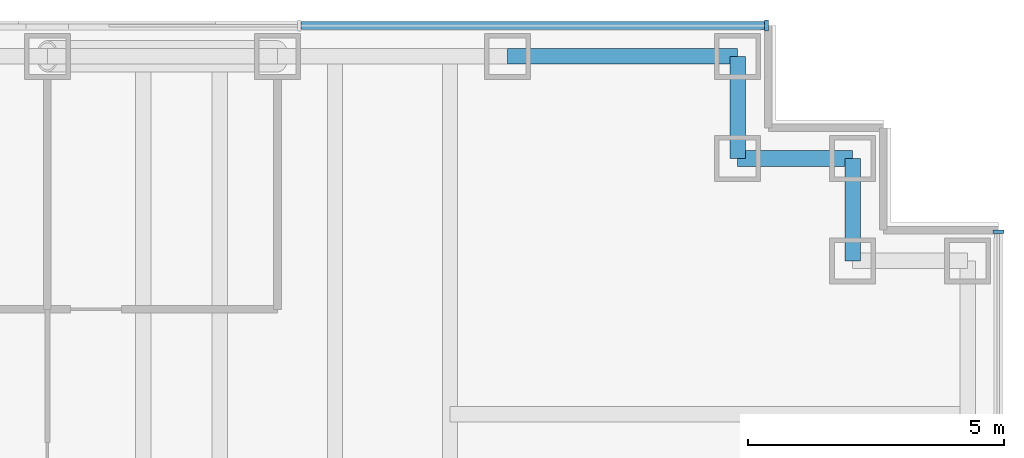
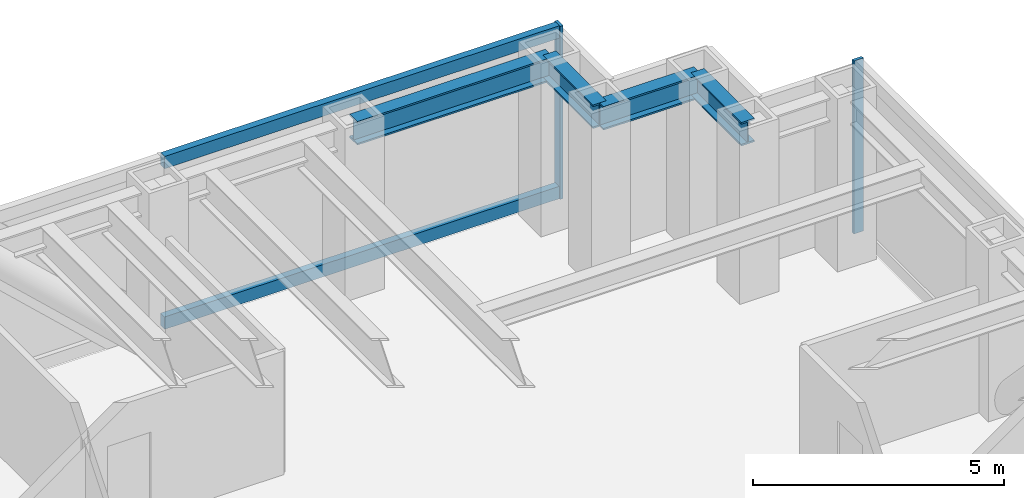
# One storey, part 9 of 15: 4 beams, 4 members, 2 elements without a shape of their own.
"""IFC4 building model written with IfcOpenShell, lengths in metres."""

from ifc_helpers import new_model, si_unit, direction, frame, origin, origin_2d, place, context, subcontext, project, spatial, rectangle, i_section, extrude, material, material_profile, profile_set, type_object, element, aggregate, save


model = new_model("IFC4")

# Units and contexts
model_context = context("Model", 3, precision=1e-05, world=origin(), true_north=direction((0.0, 1.0)))
body_context = subcontext(model_context, "Body", "Model", "MODEL_VIEW")
ifc_project = project(units=[si_unit("LENGTHUNIT", "METRE"), si_unit("AREAUNIT", "SQUARE_METRE"), si_unit("VOLUMEUNIT", "CUBIC_METRE"), si_unit("PLANEANGLEUNIT", "RADIAN"), si_unit("MASSUNIT", "GRAM", prefix="KILO")], contexts=[model_context])

# Site, building, storey
site_placement = place(None, origin())
site = spatial("IfcSite", under=ifc_project, at=site_placement, CompositionType="ELEMENT")
building_placement = place(site_placement, origin())
building = spatial("IfcBuilding", under=site, at=building_placement, Name="Rheinbord Bourse Tower", CompositionType="ELEMENT")
storey_placement = place(building_placement, frame((0.0, 0.0, 163.5)))
storey = spatial("IfcBuildingStorey", under=building, at=storey_placement, Name="L36", CompositionType="ELEMENT", Elevation=163.5)

# Curtain wall, member
ifc_material_1 = material(Name="Dark glass and black aluminium", Category="aluminium")
curtain_wall_type = type_object("IfcCurtainWallType", Name="CW2 DARK GLASS CURTAIN WALL", PredefinedType="USERDEFINED", material=ifc_material_1)
curtain_wall_1_placement = place(storey_placement, origin())
curtain_wall_1 = element("IfcCurtainWall", 1, at=curtain_wall_1_placement, inside=storey, type_object=curtain_wall_type, Name="Curtain wall CW2 E L36", ObjectType="UNITISED CURTAIN WALL", PredefinedType="USERDEFINED")
ifc_material_2 = material(Name="Black anodised aluminium", Category="aluminium")
ifc_material_profile_1 = material_profile(ifc_material_2, rectangle(XDim=0.219970703125, YDim=0.070068359375, at=origin_2d()), Name="CW2 MULLION 70x220")
ifc_profile_set_1 = profile_set([ifc_material_profile_1], Name="Black anodised aluminium")
member_type_1 = type_object("IfcMemberType", Name="CW2 BLACK MULLION", PredefinedType="MULLION", material=ifc_profile_set_1)
member_1_placement = place(storey_placement, frame((72.60009765625, 42.56494140625, 0.0), z_axis=(0.0, 0.0, 1.0), x_axis=(-1.0, 0.0, 0.0)))
member_1 = element("IfcMember", 2, at=member_1_placement, type_object=member_type_1, Name="CW2 mullion 6", PredefinedType="MULLION", context=body_context, shape_type="SweptSolid", body=[
    extrude(rectangle(XDim=0.219970703125, YDim=0.070068359375, at=origin_2d()), origin(), (0.0, 0.0, 1.0), 4.199951171875),
])
aggregate(curtain_wall_1, [member_1])

# Curtain wall, members
curtain_wall_2_placement = place(storey_placement, origin())
curtain_wall_2 = element("IfcCurtainWall", 3, at=curtain_wall_2_placement, inside=storey, type_object=curtain_wall_type, Name="Curtain wall CW2 N L36", ObjectType="UNITISED CURTAIN WALL", PredefinedType="USERDEFINED")
member_2_placement = place(storey_placement, frame((68.06494140625, 46.60009765625, 0.0), z_axis=(0.0, 0.0, 1.0), x_axis=(0.0, -1.0, 0.0)))
member_2 = element("IfcMember", 4, at=member_2_placement, type_object=member_type_1, Name="CW2 mullion 1", PredefinedType="MULLION", context=body_context, shape_type="SweptSolid", body=[
    extrude(rectangle(XDim=0.219970703125, YDim=0.070068359375, at=origin_2d()), origin(), (0.0, 0.0, 1.0), 4.199951171875),
])
ifc_material_3 = material(Name="Black anodised aluminium", Category="aluminium")
ifc_material_profile_2 = material_profile(ifc_material_3, rectangle(XDim=0.159912109375, YDim=0.300048828125, at=origin_2d()), Name="CW2 TRANSOM 300x160")
ifc_profile_set_2 = profile_set([ifc_material_profile_2], Name="Black anodised aluminium")
member_type_2 = type_object("IfcMemberType", Name="CW2 BLACK TRANSOM", PredefinedType="USERDEFINED", material=ifc_profile_set_2)
member_3_placement = place(storey_placement, frame((68.030029296875, 46.60009765625, 0.14990234375), z_axis=(-1.0, 0.0, 0.0), x_axis=(0.0, -1.0, 0.0)))
member_3 = element("IfcMember", 5, at=member_3_placement, type_object=member_type_2, Name="CW2 transom 1.1", ObjectType="TRANSOM", PredefinedType="USERDEFINED", context=body_context, shape_type="SweptSolid", body=[
    extrude(rectangle(XDim=0.159912109375, YDim=0.300048828125, at=origin_2d()), origin(), (0.0, 0.0, 1.0), 9.06640625),
])
member_4_placement = place(storey_placement, frame((68.030029296875, 46.60009765625, 4.050048828125), z_axis=(-1.0, 0.0, 0.0), x_axis=(0.0, -1.0, 0.0)))
member_4 = element("IfcMember", 6, at=member_4_placement, type_object=member_type_2, Name="CW2 transom 1.2", ObjectType="TRANSOM", PredefinedType="USERDEFINED", context=body_context, shape_type="SweptSolid", body=[
    extrude(rectangle(XDim=0.159912109375, YDim=0.300048828125, at=origin_2d()), origin(), (0.0, 0.0, 1.0), 9.06640625),
])
aggregate(curtain_wall_2, [member_2, member_3, member_4])

# Beams
ifc_material_4 = material(Name="Steel S460", Category="steel")
ifc_material_profile_3 = material_profile(ifc_material_4, i_section(OverallWidth=0.305908203125, OverallDepth=0.572021484375, WebThickness=0.02099609375, FlangeThickness=0.0400390625, at=origin_2d()), Name="HEM 550")
ifc_profile_set_3 = profile_set([ifc_material_profile_3], Name="Steel S460")
beam_type = type_object("IfcBeamType", Name="SPANDREL HEM 550", PredefinedType="SPANDREL", material=ifc_profile_set_3)
beam_1_placement = place(storey_placement, frame((69.75, 42.0, 3.75390625), z_axis=(0.0, 1.0, 0.0), x_axis=(-1.0, 0.0, 0.0)))
element("IfcBeam", 7, at=beam_1_placement, inside=storey, type_object=beam_type, Name="Spandrel NE-B-NE-C under L37", PredefinedType="SPANDREL", context=body_context, shape_type="SweptSolid", body=[
    extrude(i_section(OverallWidth=0.305908203125, OverallDepth=0.572021484375, WebThickness=0.02099609375, FlangeThickness=0.0400390625, at=origin_2d()), origin(), (0.0, 0.0, 1.0), 2.0),
])
beam_2_placement = place(storey_placement, frame((69.75, 44.0, 3.75390625), z_axis=(-1.0, 0.0, 0.0), x_axis=(0.0, -1.0, 0.0)))
element("IfcBeam", 8, at=beam_2_placement, inside=storey, type_object=beam_type, Name="Spandrel NE-C-NE-D under L37", PredefinedType="SPANDREL", context=body_context, shape_type="SweptSolid", body=[
    extrude(i_section(OverallWidth=0.305908203125, OverallDepth=0.572021484375, WebThickness=0.02099609375, FlangeThickness=0.0400390625, at=origin_2d()), origin(), (0.0, 0.0, 1.0), 2.25),
])
beam_3_placement = place(storey_placement, frame((67.5, 44.0, 3.75390625), z_axis=(0.0, 1.0, 0.0), x_axis=(-1.0, 0.0, 0.0)))
element("IfcBeam", 9, at=beam_3_placement, inside=storey, type_object=beam_type, Name="Spandrel NE-D-NE-E under L37", PredefinedType="SPANDREL", context=body_context, shape_type="SweptSolid", body=[
    extrude(i_section(OverallWidth=0.305908203125, OverallDepth=0.572021484375, WebThickness=0.02099609375, FlangeThickness=0.0400390625, at=origin_2d()), origin(), (0.0, 0.0, 1.0), 2.0),
])
beam_4_placement = place(storey_placement, frame((67.5, 46.0, 3.75390625), z_axis=(-1.0, 0.0, 0.0), x_axis=(0.0, -1.0, 0.0)))
element("IfcBeam", 10, at=beam_4_placement, inside=storey, type_object=beam_type, Name="Spandrel NE-E-N-63 under L37", PredefinedType="SPANDREL", context=body_context, shape_type="SweptSolid", body=[
    extrude(i_section(OverallWidth=0.305908203125, OverallDepth=0.572021484375, WebThickness=0.02099609375, FlangeThickness=0.0400390625, at=origin_2d()), origin(), (0.0, 0.0, 1.0), 4.5),
])

save(model, "model.ifc")
